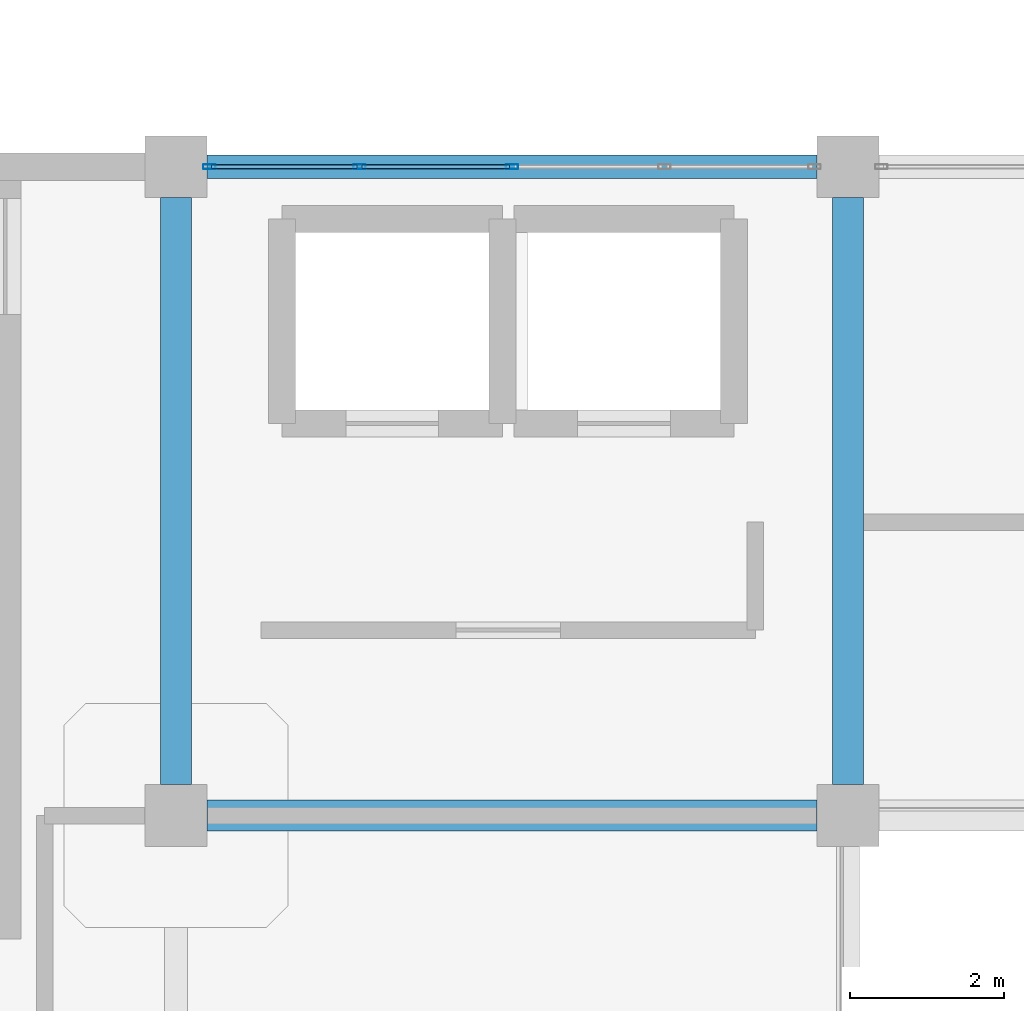
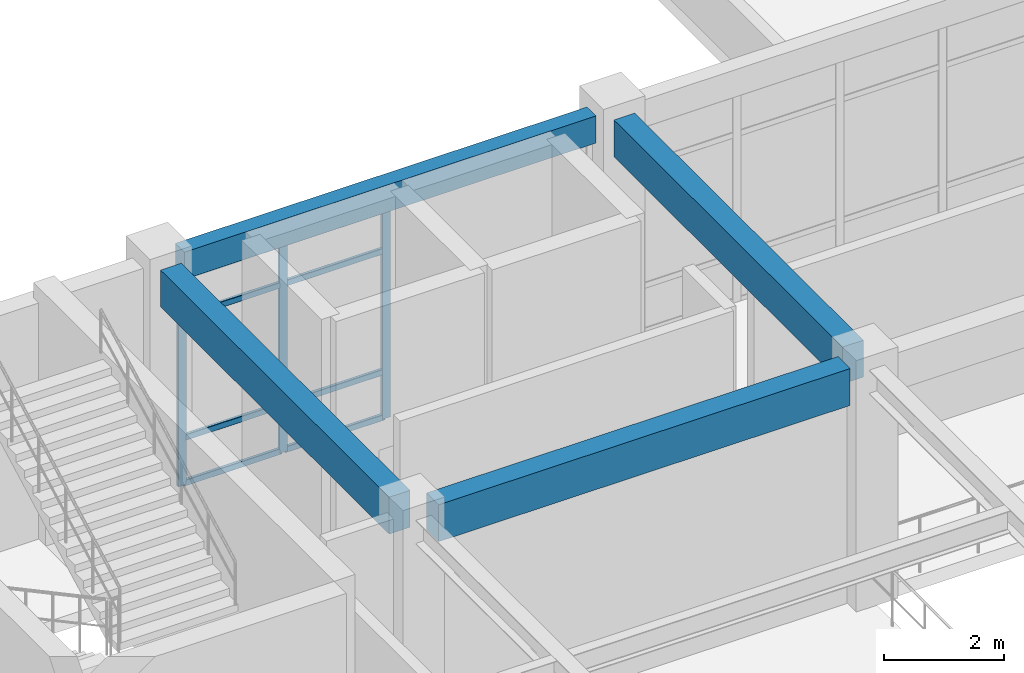
# One storey, part 47 of 124: 11 members, 4 beams, 1 element without a shape of its own.
"""IFC4 building model written with IfcOpenShell, lengths in metres."""

from ifc_helpers import new_model, si_unit, derived_unit, direction, frame, origin, origin_2d, place, context, subcontext, project, spatial, rectangle, hollow_rectangle, extrude, material, layer, layer_set, material_profile, profile_set, type_object, element, aggregate, save


model = new_model("IFC4")

# Units and contexts
model_context = context("Model", 3, precision=1e-05, world=origin(), true_north=direction((0.0, 1.0)))
body_context = subcontext(model_context, "Body", "Model", "MODEL_VIEW")
ifc_project = project(units=[si_unit("LENGTHUNIT", "METRE"), si_unit("AREAUNIT", "SQUARE_METRE"), si_unit("VOLUMEUNIT", "CUBIC_METRE"), si_unit("PLANEANGLEUNIT", "RADIAN"), si_unit("MASSUNIT", "GRAM", prefix="KILO"), derived_unit("THERMALTRANSMITTANCEUNIT", [(si_unit("MASSUNIT", "GRAM", prefix="KILO"), 1), (si_unit("TIMEUNIT", "SECOND"), -3), (si_unit("THERMODYNAMICTEMPERATUREUNIT", "KELVIN"), -1)])], contexts=[model_context])

# Site, building, storey
site_placement = place(None, origin())
site = spatial("IfcSite", under=ifc_project, at=site_placement, CompositionType="ELEMENT")
building_placement = place(site_placement, origin())
building = spatial("IfcBuilding", under=site, at=building_placement, Name="Qinzheling Arcade Emporium", CompositionType="ELEMENT")
storey_placement = place(building_placement, frame((0.0, 0.0, 16.5)))
storey = spatial("IfcBuildingStorey", under=building, at=storey_placement, Name="L04", CompositionType="ELEMENT", Elevation=16.5)

# Curtain wall, members
ifc_material_1 = material(Name="Anodised aluminium and solar-control double glazing", Category="aluminium")
ifc_layer = layer(ifc_material_1, 0.159912109375, Name="Anodised aluminium and solar-control double glazing", Category="aluminium")
ifc_layer_set = layer_set([ifc_layer], Name="Anodised aluminium and solar-control double glazing")
curtain_wall_type = type_object("IfcCurtainWallType", Name="Atrium Clerestory Curtain Wall", PredefinedType="NOTDEFINED", material=ifc_layer_set)
curtain_wall_placement = place(storey_placement, origin())
curtain_wall = element("IfcCurtainWall", 1, at=curtain_wall_placement, inside=storey, type_object=curtain_wall_type, Name="Curtain Wall CW-L04-243", PredefinedType="NOTDEFINED")
ifc_material_2 = material(Name="Anodised aluminium 6063-T6", Category="aluminium")
ifc_material_profile_1 = material_profile(ifc_material_2, hollow_rectangle(XDim=0.06005859375, YDim=0.159912109375, WallThickness=0.00390625, InnerFilletRadius=0.00390625, OuterFilletRadius=0.008056640625, at=origin_2d()), Name="RHS 160x60x4", Category="aluminium")
ifc_profile_set_1 = profile_set([ifc_material_profile_1], Name="Anodised aluminium 6063-T6")
member_type_1 = type_object("IfcMemberType", Name="Curtain Wall Mullion RHS160x60", PredefinedType="MULLION", material=ifc_profile_set_1)
member_1_placement = place(storey_placement, frame((43.931884765625, 73.800048828125, 0.0), z_axis=(0.0, 0.0, 1.0), x_axis=(0.0, 1.0, 0.0)))
member_1 = element("IfcMember", 2, at=member_1_placement, type_object=member_type_1, Name="CW03 mullion 1", PredefinedType="MULLION", context=body_context, shape_type="SweptSolid", body=[
    extrude(hollow_rectangle(XDim=0.06005859375, YDim=0.159912109375, WallThickness=0.00390625, InnerFilletRadius=0.00390625, OuterFilletRadius=0.008056640625, at=origin_2d()), origin(), (0.0, 0.0, 1.0), 4.2548828125),
])
member_2_placement = place(storey_placement, frame((45.8759765625, 73.800048828125, 0.0), z_axis=(0.0, 0.0, 1.0), x_axis=(0.0, 1.0, 0.0)))
member_2 = element("IfcMember", 3, at=member_2_placement, type_object=member_type_1, Name="CW03 mullion 2", PredefinedType="MULLION", context=body_context, shape_type="SweptSolid", body=[
    extrude(hollow_rectangle(XDim=0.06005859375, YDim=0.159912109375, WallThickness=0.00390625, InnerFilletRadius=0.00390625, OuterFilletRadius=0.008056640625, at=origin_2d()), origin(), (0.0, 0.0, 1.0), 4.2548828125),
])
member_3_placement = place(storey_placement, frame((47.85009765625, 73.800048828125, 0.0), z_axis=(0.0, 0.0, 1.0), x_axis=(0.0, 1.0, 0.0)))
member_3 = element("IfcMember", 4, at=member_3_placement, type_object=member_type_1, Name="CW03 mullion 3", PredefinedType="MULLION", context=body_context, shape_type="SweptSolid", body=[
    extrude(hollow_rectangle(XDim=0.06005859375, YDim=0.159912109375, WallThickness=0.00390625, InnerFilletRadius=0.00390625, OuterFilletRadius=0.008056640625, at=origin_2d()), origin(), (0.0, 0.0, 1.0), 4.2548828125),
])
ifc_material_profile_2 = material_profile(ifc_material_2, hollow_rectangle(XDim=0.06005859375, YDim=0.1201171875, WallThickness=0.00390625, InnerFilletRadius=0.00390625, OuterFilletRadius=0.008056640625, at=origin_2d()), Name="RHS 120x60x4", Category="aluminium")
ifc_profile_set_2 = profile_set([ifc_material_profile_2], Name="Anodised aluminium 6063-T6")
member_type_2 = type_object("IfcMemberType", Name="Curtain Wall Transom RHS120x60", PredefinedType="USERDEFINED", material=ifc_profile_set_2)
member_4_placement = place(storey_placement, frame((43.9619140625, 73.800048828125, 0.030029296875), z_axis=(1.0, 0.0, 0.0), x_axis=(0.0, 1.0, 0.0)))
member_4 = element("IfcMember", 5, at=member_4_placement, type_object=member_type_2, Name="CW03 transom 1.1", ObjectType="TRANSOM", PredefinedType="USERDEFINED", context=body_context, shape_type="SweptSolid", body=[
    extrude(hollow_rectangle(XDim=0.06005859375, YDim=0.1201171875, WallThickness=0.00390625, InnerFilletRadius=0.00390625, OuterFilletRadius=0.008056640625, at=origin_2d()), origin(), (0.0, 0.0, 1.0), 1.884033203125),
])
member_5_placement = place(storey_placement, frame((43.9619140625, 73.800048828125, 0.949951171875), z_axis=(1.0, 0.0, 0.0), x_axis=(0.0, 1.0, 0.0)))
member_5 = element("IfcMember", 6, at=member_5_placement, type_object=member_type_2, Name="CW03 transom 1.2", ObjectType="TRANSOM", PredefinedType="USERDEFINED", context=body_context, shape_type="SweptSolid", body=[
    extrude(hollow_rectangle(XDim=0.06005859375, YDim=0.1201171875, WallThickness=0.00390625, InnerFilletRadius=0.00390625, OuterFilletRadius=0.008056640625, at=origin_2d()), origin(), (0.0, 0.0, 1.0), 1.884033203125),
])
member_6_placement = place(storey_placement, frame((43.9619140625, 73.800048828125, 3.405029296875), z_axis=(1.0, 0.0, 0.0), x_axis=(0.0, 1.0, 0.0)))
member_6 = element("IfcMember", 7, at=member_6_placement, type_object=member_type_2, Name="CW03 transom 1.3", ObjectType="TRANSOM", PredefinedType="USERDEFINED", context=body_context, shape_type="SweptSolid", body=[
    extrude(hollow_rectangle(XDim=0.06005859375, YDim=0.1201171875, WallThickness=0.00390625, InnerFilletRadius=0.00390625, OuterFilletRadius=0.008056640625, at=origin_2d()), origin(), (0.0, 0.0, 1.0), 1.884033203125),
])
member_7_placement = place(storey_placement, frame((43.9619140625, 73.800048828125, 4.22509765625), z_axis=(1.0, 0.0, 0.0), x_axis=(0.0, 1.0, 0.0)))
member_7 = element("IfcMember", 8, at=member_7_placement, type_object=member_type_2, Name="CW03 transom 1.4", ObjectType="TRANSOM", PredefinedType="USERDEFINED", context=body_context, shape_type="SweptSolid", body=[
    extrude(hollow_rectangle(XDim=0.06005859375, YDim=0.1201171875, WallThickness=0.00390625, InnerFilletRadius=0.00390625, OuterFilletRadius=0.008056640625, at=origin_2d()), origin(), (0.0, 0.0, 1.0), 1.884033203125),
])
member_8_placement = place(storey_placement, frame((45.906005859375, 73.800048828125, 0.030029296875), z_axis=(1.0, 0.0, 0.0), x_axis=(0.0, 1.0, 0.0)))
member_8 = element("IfcMember", 9, at=member_8_placement, type_object=member_type_2, Name="CW03 transom 2.1", ObjectType="TRANSOM", PredefinedType="USERDEFINED", context=body_context, shape_type="SweptSolid", body=[
    extrude(hollow_rectangle(XDim=0.06005859375, YDim=0.1201171875, WallThickness=0.00390625, InnerFilletRadius=0.00390625, OuterFilletRadius=0.008056640625, at=origin_2d()), origin(), (0.0, 0.0, 1.0), 1.9140625),
])
member_9_placement = place(storey_placement, frame((45.906005859375, 73.800048828125, 0.949951171875), z_axis=(1.0, 0.0, 0.0), x_axis=(0.0, 1.0, 0.0)))
member_9 = element("IfcMember", 10, at=member_9_placement, type_object=member_type_2, Name="CW03 transom 2.2", ObjectType="TRANSOM", PredefinedType="USERDEFINED", context=body_context, shape_type="SweptSolid", body=[
    extrude(hollow_rectangle(XDim=0.06005859375, YDim=0.1201171875, WallThickness=0.00390625, InnerFilletRadius=0.00390625, OuterFilletRadius=0.008056640625, at=origin_2d()), origin(), (0.0, 0.0, 1.0), 1.9140625),
])
member_10_placement = place(storey_placement, frame((45.906005859375, 73.800048828125, 3.405029296875), z_axis=(1.0, 0.0, 0.0), x_axis=(0.0, 1.0, 0.0)))
member_10 = element("IfcMember", 11, at=member_10_placement, type_object=member_type_2, Name="CW03 transom 2.3", ObjectType="TRANSOM", PredefinedType="USERDEFINED", context=body_context, shape_type="SweptSolid", body=[
    extrude(hollow_rectangle(XDim=0.06005859375, YDim=0.1201171875, WallThickness=0.00390625, InnerFilletRadius=0.00390625, OuterFilletRadius=0.008056640625, at=origin_2d()), origin(), (0.0, 0.0, 1.0), 1.9140625),
])
member_11_placement = place(storey_placement, frame((45.906005859375, 73.800048828125, 4.22509765625), z_axis=(1.0, 0.0, 0.0), x_axis=(0.0, 1.0, 0.0)))
member_11 = element("IfcMember", 12, at=member_11_placement, type_object=member_type_2, Name="CW03 transom 2.4", ObjectType="TRANSOM", PredefinedType="USERDEFINED", context=body_context, shape_type="SweptSolid", body=[
    extrude(hollow_rectangle(XDim=0.06005859375, YDim=0.1201171875, WallThickness=0.00390625, InnerFilletRadius=0.00390625, OuterFilletRadius=0.008056640625, at=origin_2d()), origin(), (0.0, 0.0, 1.0), 1.9140625),
])
aggregate(curtain_wall, [member_1, member_2, member_3, member_4, member_5, member_6, member_7, member_8, member_9, member_10, member_11])

# Beams
ifc_material_3 = material(Name="Concrete C40", Category="concrete")
ifc_material_profile_3 = material_profile(ifc_material_3, rectangle(XDim=0.39990234375, YDim=0.75, at=origin_2d()), Name="RC 400x750", Category="concrete")
ifc_profile_set_3 = profile_set([ifc_material_profile_3], Name="Concrete C40")
beam_type_1 = type_object("IfcBeamType", Name="RC Interior Tie Beam 400x750 C40", PredefinedType="BEAM", material=ifc_profile_set_3)
beam_1_placement = place(storey_placement, frame((43.89990234375, 65.39990234375, 4.445068359375), z_axis=(1.0, 0.0, 0.0), x_axis=(0.0, 1.0, 0.0)))
element("IfcBeam", 13, at=beam_1_placement, inside=storey, type_object=beam_type_1, Name="Beam BM-L04-X-H-6", PredefinedType="BEAM", context=body_context, shape_type="SweptSolid", body=[
    extrude(rectangle(XDim=0.39990234375, YDim=0.75, at=origin_2d()), origin(), (0.0, 0.0, 1.0), 7.900146484375),
])
for number, where, z_axis, x_axis, name in (
    (14, (43.5, 65.800048828125, 4.445068359375), (0.0, 1.0, 0.0), (-1.0, 0.0, 0.0), "Beam BM-L04-Y-6-H"),
    (15, (52.199951171875, 65.800048828125, 4.445068359375), (0.0, 1.0, 0.0), (-1.0, 0.0, 0.0), "Beam BM-L04-Y-7-H"),
):
    element("IfcBeam", number, at=place(storey_placement, frame(where, z_axis=z_axis, x_axis=x_axis)), inside=storey, type_object=beam_type_1, Name=name, PredefinedType="BEAM", context=body_context, shape_type="SweptSolid", body=[
        extrude(rectangle(XDim=0.39990234375, YDim=0.75, at=origin_2d()), origin(), (0.0, 0.0, 1.0), 7.599853515625),
    ])
ifc_material_profile_4 = material_profile(ifc_material_3, rectangle(XDim=0.300048828125, YDim=0.550048828125, at=origin_2d()), Name="RC 300x550", Category="concrete")
ifc_profile_set_4 = profile_set([ifc_material_profile_4], Name="Concrete C40")
beam_type_2 = type_object("IfcBeamType", Name="RC Terrace Spandrel Beam 300x550 C40", PredefinedType="SPANDREL", material=ifc_profile_set_4)
beam_2_placement = place(storey_placement, frame((43.89990234375, 73.800048828125, 4.544921875), z_axis=(1.0, 0.0, 0.0), x_axis=(0.0, 1.0, 0.0)))
element("IfcBeam", 16, at=beam_2_placement, inside=storey, type_object=beam_type_2, Name="Beam BM-L04-X-J-6", PredefinedType="SPANDREL", context=body_context, shape_type="SweptSolid", body=[
    extrude(rectangle(XDim=0.300048828125, YDim=0.550048828125, at=origin_2d()), origin(), (0.0, 0.0, 1.0), 7.900146484375),
])

save(model, "model.ifc")
